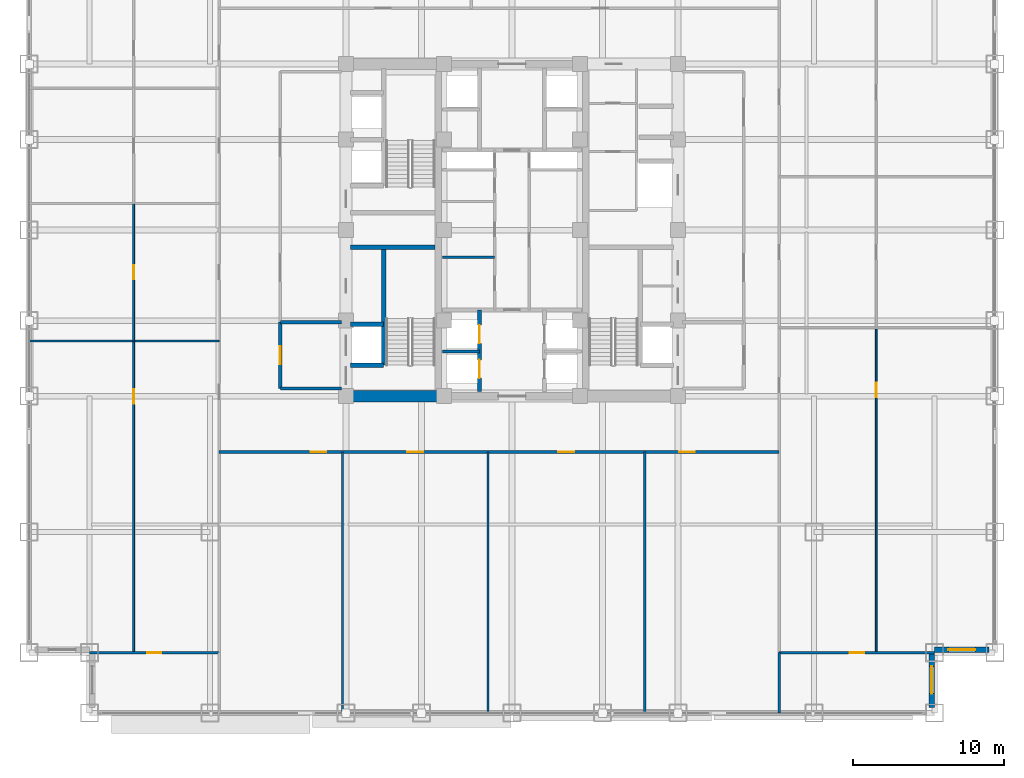
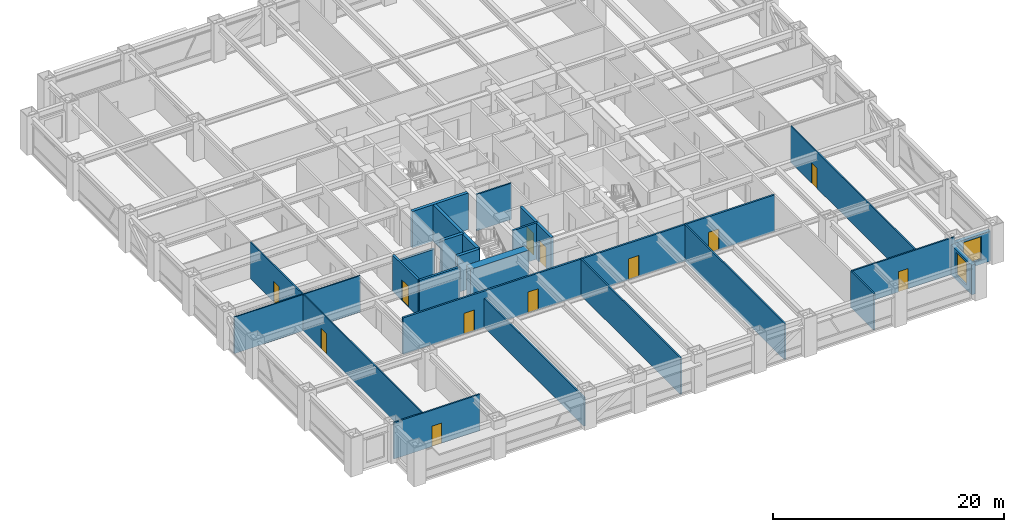
# One storey, part 23 of 32: 24 walls, 12 doors, 2 windows, 14 openings.
"""IFC4 building model written with IfcOpenShell, lengths in metres."""

from ifc_helpers import new_model, si_unit, direction, frame, frame_2d, origin, place, context, subcontext, project, spatial, rectangle, extrude, source, transform, mapped, material, layer, layer_set, type_object, element, fill, save


model = new_model("IFC4")

# Units and contexts
model_context = context("Model", 3, precision=1e-05, world=origin(), true_north=direction((0.0, 1.0)))
body_context = subcontext(model_context, "Body", "Model", "MODEL_VIEW")
ifc_project = project(units=[si_unit("LENGTHUNIT", "METRE"), si_unit("AREAUNIT", "SQUARE_METRE"), si_unit("VOLUMEUNIT", "CUBIC_METRE"), si_unit("PLANEANGLEUNIT", "RADIAN"), si_unit("MASSUNIT", "GRAM", prefix="KILO")], contexts=[model_context])

# Site, building, storey
site_placement = place(None, origin())
site = spatial("IfcSite", under=ifc_project, at=site_placement, CompositionType="ELEMENT")
building_placement = place(site_placement, origin())
building = spatial("IfcBuilding", under=site, at=building_placement, Name="Khorayat Bourse Tower", CompositionType="ELEMENT")
storey_placement = place(building_placement, frame((0.0, 0.0, 132.39990234375)))
storey = spatial("IfcBuildingStorey", under=building, at=storey_placement, Name="L30", CompositionType="ELEMENT", Elevation=132.39990234375)

# Walls
ifc_material_1 = material(Name="Concrete C72/90", Category="concrete")
ifc_layer_1 = layer(ifc_material_1, 0.75)
ifc_layer_set_1 = layer_set([ifc_layer_1], Name="Concrete C72/90")
wall_type_1 = type_object("IfcWallType", Name="WAL-CORE-750", PredefinedType="SHEAR", material=ifc_layer_set_1)
shared_shape_1 = source(origin(), body_context, "Body", "SweptSolid", [
    extrude(rectangle(XDim=5.849853515625, YDim=0.75, at=frame_2d((2.9248046875, 0.0))), origin(), (0.0, 0.0, 1.0), 3.840087890625),
])
wall_1_placement = place(storey_placement, frame((-10.699951171875, -11.0, 0.0), z_axis=(0.0, 0.0, 1.0), x_axis=(1.0, 0.0, 0.0)))
element("IfcWall", 1, at=wall_1_placement, inside=storey, type_object=wall_type_1, Name="L30 Core Shear Wall PIER-WS", PredefinedType="SHEAR", context=body_context, shape_type="MappedRepresentation", body=[
    mapped(shared_shape_1, transform((0.0, 0.0, 0.0), scale=1.0)),
])
ifc_material_2 = material(Name="Concrete C50/60", Category="concrete")
ifc_layer_2 = layer(ifc_material_2, 0.300048828125)
ifc_layer_set_2 = layer_set([ifc_layer_2], Name="Concrete C50/60")
wall_type_2 = type_object("IfcWallType", Name="WAL-SHAFT-300", PredefinedType="SHEAR", material=ifc_layer_set_2)
shared_shape_2 = source(origin(), body_context, "Body", "SweptSolid", [
    extrude(rectangle(XDim=5.599853515625, YDim=0.300048828125, at=frame_2d((2.7998046875, 0.0))), origin(), (0.0, 0.0, 1.0), 3.840087890625),
])
wall_2_placement = place(storey_placement, frame((-10.699951171875, -1.14990234375, 0.0), z_axis=(0.0, 0.0, 1.0), x_axis=(1.0, 0.0, 0.0)))
element("IfcWall", 2, at=wall_2_placement, inside=storey, type_object=wall_type_2, Name="L30 Core Shear Wall ST1-DIV", PredefinedType="SHEAR", context=body_context, shape_type="MappedRepresentation", body=[
    mapped(shared_shape_2, transform((0.0, 0.0, 0.0), scale=1.0)),
])

# Wall, opening, window
ifc_material_3 = material(Name="Precast concrete C45/55", Category="concrete")
ifc_layer_3 = layer(ifc_material_3, 0.3798828125)
ifc_layer_set_3 = layer_set([ifc_layer_3], Name="Precast concrete C45/55")
wall_type_3 = type_object("IfcWallType", Name="WAL-EXT-STONE-380", PredefinedType="STANDARD", material=ifc_layer_set_3)
shared_shape_3 = source(origin(), body_context, "Body", "SweptSolid", [
    extrude(rectangle(XDim=3.6201171875, YDim=0.3798828125, at=frame_2d((1.81005859375, 0.0))), origin(), (0.0, 0.0, 1.0), 3.14501953125),
])
wall_3_placement = place(storey_placement, frame((27.81005859375, -31.6201171875, 0.0), z_axis=(0.0, 0.0, 1.0), x_axis=(0.0, 1.0, 0.0)))
wall_3 = element("IfcWall", 3, at=wall_3_placement, inside=storey, type_object=wall_type_3, Name="L30 Re-Entrant Notch Limestone Wall SE-V", PredefinedType="STANDARD", context=body_context, shape_type="MappedRepresentation", body=[
    mapped(shared_shape_3, transform((0.0, 0.0, 0.0), scale=1.0)),
])
shared_shape_4 = source(origin(), body_context, "Body", "SweptSolid", [
    extrude(rectangle(XDim=1.800048828125, YDim=2.39990234375, at=frame_2d((0.89990234375, 1.199951171875))), frame((0.0, 0.199951171875, 0.0), z_axis=(0.0, -1.0, 0.0), x_axis=(1.0, 0.0, 0.0)), (0.0, 0.0, 1.0), 0.39990234375),
])
opening_1_placement = place(wall_3_placement, frame((0.909912109375, 0.0, 0.5)))
opening_1 = element("IfcOpeningElement", 4, at=opening_1_placement, cuts=wall_3, Name="Opening WN-04", PredefinedType="OPENING", context=body_context, shape_type="MappedRepresentation", body=[
    mapped(shared_shape_4, transform((0.0, 0.0, 0.0), scale=1.0)),
])
ifc_material_4 = material(Name="Low-E acoustic laminated double glazing", Category="glass")
window_type = type_object("IfcWindowType", Name="WIN-NOTCH-1800x2400", PartitioningType="SINGLE_PANEL", PredefinedType="WINDOW", material=ifc_material_4)
shared_shape_5 = source(origin(), body_context, "Body", "SweptSolid", [
    extrude(rectangle(XDim=1.800048828125, YDim=2.39990234375, at=frame_2d((0.89990234375, 1.199951171875))), frame((0.0, 0.030029296875, 0.0), z_axis=(0.0, -1.0, 0.0), x_axis=(1.0, 0.0, 0.0)), (0.0, 0.0, 1.0), 0.06005859375),
])
window_1_placement = place(opening_1_placement, origin())
window_1 = element("IfcWindow", 5, at=window_1_placement, inside=storey, type_object=window_type, Name="L30 Facade Window 1", OverallHeight=2.39990234375, OverallWidth=1.800048828125, PartitioningType="SINGLE_PANEL", PredefinedType="WINDOW", context=body_context, shape_type="MappedRepresentation", body=[
    mapped(shared_shape_5, transform((0.0, 0.0, 0.0), scale=1.0)),
])
fill(opening_1, window_1)

wall_4_placement = place(storey_placement, frame((28.0, -27.81005859375, 0.0), z_axis=(0.0, 0.0, 1.0), x_axis=(1.0, 0.0, 0.0)))
wall_4 = element("IfcWall", 6, at=wall_4_placement, inside=storey, type_object=wall_type_3, Name="L30 Re-Entrant Notch Limestone Wall SE-H", PredefinedType="STANDARD", context=body_context, shape_type="MappedRepresentation", body=[
    mapped(shared_shape_3, transform((0.0, 0.0, 0.0), scale=1.0)),
])
opening_2_placement = place(wall_4_placement, frame((0.909912109375, 0.0, 0.5)))
opening_2 = element("IfcOpeningElement", 7, at=opening_2_placement, cuts=wall_4, Name="Opening WN-04", PredefinedType="OPENING", context=body_context, shape_type="MappedRepresentation", body=[
    mapped(shared_shape_4, transform((0.0, 0.0, 0.0), scale=1.0)),
])
window_2_placement = place(opening_2_placement, origin())
window_2 = element("IfcWindow", 8, at=window_2_placement, inside=storey, type_object=window_type, Name="L30 Facade Window 1", OverallHeight=2.39990234375, OverallWidth=1.800048828125, PartitioningType="SINGLE_PANEL", PredefinedType="WINDOW", context=body_context, shape_type="MappedRepresentation", body=[
    mapped(shared_shape_5, transform((0.0, 0.0, 0.0), scale=1.0)),
])
fill(opening_2, window_2)

# Walls
shared_shape_6 = source(origin(), body_context, "Body", "SweptSolid", [
    extrude(rectangle(XDim=7.800048828125, YDim=0.300048828125, at=frame_2d((3.89990234375, 0.0))), origin(), (0.0, 0.0, 1.0), 3.840087890625),
])
wall_5_placement = place(storey_placement, frame((-8.5, -8.949951171875, 0.0), z_axis=(0.0, 0.0, 1.0), x_axis=(0.0, 1.0, 0.0)))
element("IfcWall", 9, at=wall_5_placement, inside=storey, type_object=wall_type_2, Name="L30 Partition WAL-L30-WPIER-SP", PredefinedType="SHEAR", context=body_context, shape_type="MappedRepresentation", body=[
    mapped(shared_shape_6, transform((0.0, 0.0, 0.0), scale=1.0)),
])
shared_shape_7 = source(origin(), body_context, "Body", "SweptSolid", [
    extrude(rectangle(XDim=2.199951171875, YDim=0.300048828125, at=frame_2d((1.10009765625, 0.0))), origin(), (0.0, 0.0, 1.0), 3.840087890625),
])
for number, where, z_axis, x_axis, name in (
    (10, (-10.699951171875, -8.949951171875, 0.0), (0.0, 0.0, 1.0), (1.0, 0.0, 0.0), "L30 Partition WAL-L30-WPIER-FF1S"),
    (11, (-10.699951171875, -6.25, 0.0), (0.0, 0.0, 1.0), (1.0, 0.0, 0.0), "L30 Partition WAL-L30-WPIER-FF1N"),
):
    element("IfcWall", number, at=place(storey_placement, frame(where, z_axis=z_axis, x_axis=x_axis)), inside=storey, type_object=wall_type_2, Name=name, PredefinedType="SHEAR", context=body_context, shape_type="MappedRepresentation", body=[
        mapped(shared_shape_7, transform((0.0, 0.0, 0.0), scale=1.0)),
    ])
ifc_material_5 = material(Name="Aerated concrete blockwork", Category="masonry")
ifc_layer_4 = layer(ifc_material_5, 0.219970703125)
ifc_layer_set_4 = layer_set([ifc_layer_4], Name="Aerated concrete blockwork")
wall_type_4 = type_object("IfcWallType", Name="WAL-PART-FF-220", PredefinedType="PARTITIONING", material=ifc_layer_set_4)
shared_shape_8 = source(origin(), body_context, "Body", "SweptSolid", [
    extrude(rectangle(XDim=4.050048828125, YDim=0.219970703125, at=frame_2d((2.02490234375, 0.0))), origin(), (0.0, 0.0, 1.0), 3.840087890625),
])
wall_6_placement = place(storey_placement, frame((-15.35009765625, -10.5, 0.0), z_axis=(0.0, 0.0, 1.0), x_axis=(1.0, 0.0, 0.0)))
element("IfcWall", 12, at=wall_6_placement, inside=storey, type_object=wall_type_4, Name="L30 Partition WAL-L30-FFLW-S", PredefinedType="PARTITIONING", context=body_context, shape_type="MappedRepresentation", body=[
    mapped(shared_shape_8, transform((0.0, 0.0, 0.0), scale=1.0)),
])
shared_shape_9 = source(origin(), body_context, "Body", "SweptSolid", [
    extrude(rectangle(XDim=4.050048828125, YDim=0.219970703125, at=frame_2d((2.02490234375, 0.0))), origin(), (0.0, 0.0, 1.0), 3.067138671875),
])
wall_7_placement = place(storey_placement, frame((-15.35009765625, -6.10009765625, 0.0), z_axis=(0.0, 0.0, 1.0), x_axis=(1.0, 0.0, 0.0)))
element("IfcWall", 13, at=wall_7_placement, inside=storey, type_object=wall_type_4, Name="L30 Partition WAL-L30-FFLW-N", PredefinedType="PARTITIONING", context=body_context, shape_type="MappedRepresentation", body=[
    mapped(shared_shape_9, transform((0.0, 0.0, 0.0), scale=1.0)),
])

# Wall, opening, door
shared_shape_10 = source(origin(), body_context, "Body", "SweptSolid", [
    extrude(rectangle(XDim=4.39990234375, YDim=0.219970703125, at=frame_2d((2.199951171875, 0.0))), origin(), (0.0, 0.0, 1.0), 3.840087890625),
])
wall_8_placement = place(storey_placement, frame((-15.35009765625, -10.5, 0.0), z_axis=(0.0, 0.0, 1.0), x_axis=(0.0, 1.0, 0.0)))
wall_8 = element("IfcWall", 14, at=wall_8_placement, inside=storey, type_object=wall_type_4, Name="L30 Partition WAL-L30-FFLW-W", PredefinedType="PARTITIONING", context=body_context, shape_type="MappedRepresentation", body=[
    mapped(shared_shape_10, transform((0.0, 0.0, 0.0), scale=1.0)),
])
shared_shape_11 = source(origin(), body_context, "Body", "SweptSolid", [
    extrude(rectangle(XDim=1.199951171875, YDim=2.199951171875, at=frame_2d((0.60009765625, 1.10009765625))), frame((0.0, 0.119873046875, 0.0), z_axis=(0.0, -1.0, 0.0), x_axis=(1.0, 0.0, 0.0)), (0.0, 0.0, 1.0), 0.239990234375),
])
opening_3_placement = place(wall_8_placement, frame((1.60009765625, 0.0, 0.0)))
opening_3 = element("IfcOpeningElement", 15, at=opening_3_placement, cuts=wall_8, Name="Opening DI-02", PredefinedType="OPENING", context=body_context, shape_type="MappedRepresentation", body=[
    mapped(shared_shape_11, transform((0.0, 0.0, 0.0), scale=1.0)),
])
ifc_material_6 = material(Name="Fire-rated steel double-seal leaf", Category="steel")
door_type_1 = type_object("IfcDoorType", Name="DR-INT-FFLOBBY-1200", OperationType="NOTDEFINED", PredefinedType="DOOR", material=ifc_material_6)
shared_shape_12 = source(origin(), body_context, "Body", "SweptSolid", [
    extrude(rectangle(XDim=1.199951171875, YDim=2.199951171875, at=frame_2d((0.60009765625, 1.10009765625))), frame((0.0, 0.02490234375, 0.0), z_axis=(0.0, -1.0, 0.0), x_axis=(1.0, 0.0, 0.0)), (0.0, 0.0, 1.0), 0.050048828125),
])
door_1_placement = place(opening_3_placement, origin())
door_1 = element("IfcDoor", 16, at=door_1_placement, inside=storey, type_object=door_type_1, Name="L30 West Firefighting Lobby Door", OperationType="SINGLE_SWING_LEFT", OverallHeight=2.199951171875, OverallWidth=1.199951171875, PredefinedType="DOOR", context=body_context, shape_type="MappedRepresentation", body=[
    mapped(shared_shape_12, transform((0.0, 0.0, 0.0), scale=1.0)),
])
fill(opening_3, door_1)

# Wall, openings, doors
shared_shape_13 = source(origin(), body_context, "Body", "SweptSolid", [
    extrude(rectangle(XDim=5.39990234375, YDim=0.25, at=frame_2d((2.699951171875, 0.0))), origin(), (0.0, 0.0, 1.0), 3.840087890625),
])
wall_9_placement = place(storey_placement, frame((-2.14990234375, -10.699951171875, 0.0), z_axis=(0.0, 0.0, 1.0), x_axis=(0.0, 1.0, 0.0)))
wall_9 = element("IfcWall", 17, at=wall_9_placement, inside=storey, type_object=wall_type_2, Name="L30 Partition WAL-L30-B1-W", PredefinedType="SHEAR", context=body_context, shape_type="MappedRepresentation", body=[
    mapped(shared_shape_13, transform((0.0, 0.0, 0.0), scale=1.0)),
])
shared_shape_14 = source(origin(), body_context, "Body", "SweptSolid", [
    extrude(rectangle(XDim=1.199951171875, YDim=2.300048828125, at=frame_2d((0.60009765625, 1.14990234375))), frame((0.0, 0.135009765625, 0.0), z_axis=(0.0, -1.0, 0.0), x_axis=(1.0, 0.0, 0.0)), (0.0, 0.0, 1.0), 0.27001953125),
])
opening_4_placement = place(wall_9_placement, frame((0.89990234375, 0.0, 0.0)))
opening_4 = element("IfcOpeningElement", 18, at=opening_4_placement, cuts=wall_9, Name="Opening LD-01", PredefinedType="OPENING", context=body_context, shape_type="MappedRepresentation", body=[
    mapped(shared_shape_14, transform((0.0, 0.0, 0.0), scale=1.0)),
])
opening_5_placement = place(wall_9_placement, frame((3.199951171875, 0.0, 0.0)))
opening_5 = element("IfcOpeningElement", 19, at=opening_5_placement, cuts=wall_9, Name="Opening LD-01", PredefinedType="OPENING", context=body_context, shape_type="MappedRepresentation", body=[
    mapped(shared_shape_14, transform((0.0, 0.0, 0.0), scale=1.0)),
])
ifc_material_7 = material(Name="Brushed bronze stainless-steel sliding door", Category="steel")
door_type_2 = type_object("IfcDoorType", Name="DR-LIFT-PASS-1200", OperationType="NOTDEFINED", PredefinedType="DOOR", material=ifc_material_7)
shared_shape_15 = source(origin(), body_context, "Body", "SweptSolid", [
    extrude(rectangle(XDim=1.199951171875, YDim=2.300048828125, at=frame_2d((0.60009765625, 1.14990234375))), frame((0.0, 0.02490234375, 0.0), z_axis=(0.0, -1.0, 0.0), x_axis=(1.0, 0.0, 0.0)), (0.0, 0.0, 1.0), 0.050048828125),
])
door_2_placement = place(opening_4_placement, origin())
door_2 = element("IfcDoor", 20, at=door_2_placement, inside=storey, type_object=door_type_2, Name="L30 Lift PL-L1 Sliding Landing Door", OperationType="SLIDING_TO_LEFT", OverallHeight=2.300048828125, OverallWidth=1.199951171875, PredefinedType="DOOR", context=body_context, shape_type="MappedRepresentation", body=[
    mapped(shared_shape_15, transform((0.0, 0.0, 0.0), scale=1.0)),
])
fill(opening_4, door_2)
door_3_placement = place(opening_5_placement, origin())
door_3 = element("IfcDoor", 21, at=door_3_placement, inside=storey, type_object=door_type_2, Name="L30 Lift PL-L3 Sliding Landing Door", OperationType="SLIDING_TO_LEFT", OverallHeight=2.300048828125, OverallWidth=1.199951171875, PredefinedType="DOOR", context=body_context, shape_type="MappedRepresentation", body=[
    mapped(shared_shape_15, transform((0.0, 0.0, 0.0), scale=1.0)),
])
fill(opening_5, door_3)

# Walls
shared_shape_16 = source(origin(), body_context, "Body", "SweptSolid", [
    extrude(rectangle(XDim=2.4501953125, YDim=0.199951171875, at=frame_2d((1.22509765625, 0.0))), origin(), (0.0, 0.0, 1.0), 3.840087890625),
])
wall_10_placement = place(storey_placement, frame((-4.60009765625, -8.050048828125, 0.0), z_axis=(0.0, 0.0, 1.0), x_axis=(1.0, 0.0, 0.0)))
element("IfcWall", 22, at=wall_10_placement, inside=storey, type_object=wall_type_2, Name="L30 Partition WAL-L30-B1-MW", PredefinedType="SHEAR", context=body_context, shape_type="MappedRepresentation", body=[
    mapped(shared_shape_16, transform((0.0, 0.0, 0.0), scale=1.0)),
])
ifc_material_8 = material(Name="Moisture-resistant masonry partition", Category="masonry")
ifc_layer_5 = layer(ifc_material_8, 0.139892578125)
ifc_layer_set_5 = layer_set([ifc_layer_5], Name="Moisture-resistant masonry partition")
wall_type_5 = type_object("IfcWallType", Name="WAL-PART-WET-140", PredefinedType="PARTITIONING", material=ifc_layer_set_5)
shared_shape_17 = source(origin(), body_context, "Body", "SweptSolid", [
    extrude(rectangle(XDim=3.4501953125, YDim=0.139892578125, at=frame_2d((1.72509765625, 0.0))), origin(), (0.0, 0.0, 1.0), 3.840087890625),
])
wall_11_placement = place(storey_placement, frame((-4.60009765625, -1.800048828125, 0.0), z_axis=(0.0, 0.0, 1.0), x_axis=(1.0, 0.0, 0.0)))
element("IfcWall", 23, at=wall_11_placement, inside=storey, type_object=wall_type_5, Name="L30 Partition WAL-L30-CMW-D1", PredefinedType="PARTITIONING", context=body_context, shape_type="MappedRepresentation", body=[
    mapped(shared_shape_17, transform((0.0, 0.0, 0.0), scale=1.0)),
])

# Wall, openings, doors
ifc_material_9 = material(Name="Gypsum plasterboard acoustic stud wall")
ifc_layer_6 = layer(ifc_material_9, 0.179931640625)
ifc_layer_set_6 = layer_set([ifc_layer_6], Name="Gypsum plasterboard acoustic stud wall")
wall_type_6 = type_object("IfcWallType", Name="WAL-PART-CORR-180", PredefinedType="PARTITIONING", material=ifc_layer_set_6)
shared_shape_18 = source(origin(), body_context, "Body", "SweptSolid", [
    extrude(rectangle(XDim=37.099853515625, YDim=0.179931640625, at=frame_2d((18.5498046875, 0.0))), origin(), (0.0, 0.0, 1.0), 3.840087890625),
])
wall_12_placement = place(storey_placement, frame((-19.39990234375, -14.699951171875, 0.0), z_axis=(0.0, 0.0, 1.0), x_axis=(1.0, 0.0, 0.0)))
wall_12 = element("IfcWall", 24, at=wall_12_placement, inside=storey, type_object=wall_type_6, Name="L30 Partition WAL-L30-SCORR", PredefinedType="PARTITIONING", context=body_context, shape_type="MappedRepresentation", body=[
    mapped(shared_shape_18, transform((0.0, 0.0, 0.0), scale=1.0)),
])
shared_shape_19 = source(origin(), body_context, "Body", "SweptSolid", [
    extrude(rectangle(XDim=1.050048828125, YDim=2.199951171875, at=frame_2d((0.52490234375, 1.10009765625))), frame((0.0, 0.099853515625, 0.0), z_axis=(0.0, -1.0, 0.0), x_axis=(1.0, 0.0, 0.0)), (0.0, 0.0, 1.0), 0.199951171875),
])
opening_6_placement = place(wall_12_placement, frame((6.055908203125, 0.0, 0.0)))
opening_6 = element("IfcOpeningElement", 25, at=opening_6_placement, cuts=wall_12, Name="Opening DI-04", PredefinedType="OPENING", context=body_context, shape_type="MappedRepresentation", body=[
    mapped(shared_shape_19, transform((0.0, 0.0, 0.0), scale=1.0)),
])
opening_7_placement = place(wall_12_placement, frame((12.4599609375, 0.0, 0.0)))
opening_7 = element("IfcOpeningElement", 26, at=opening_7_placement, cuts=wall_12, Name="Opening DI-04", PredefinedType="OPENING", context=body_context, shape_type="MappedRepresentation", body=[
    mapped(shared_shape_19, transform((0.0, 0.0, 0.0), scale=1.0)),
])
opening_8_placement = place(wall_12_placement, frame((22.47705078125, 0.0, 0.0)))
opening_8 = element("IfcOpeningElement", 27, at=opening_8_placement, cuts=wall_12, Name="Opening DI-04", PredefinedType="OPENING", context=body_context, shape_type="MappedRepresentation", body=[
    mapped(shared_shape_19, transform((0.0, 0.0, 0.0), scale=1.0)),
])
opening_9_placement = place(wall_12_placement, frame((30.472900390625, 0.0, 0.0)))
opening_9 = element("IfcOpeningElement", 28, at=opening_9_placement, cuts=wall_12, Name="Opening DI-04", PredefinedType="OPENING", context=body_context, shape_type="MappedRepresentation", body=[
    mapped(shared_shape_19, transform((0.0, 0.0, 0.0), scale=1.0)),
])
ifc_material_10 = material(Name="Fire-rated oak veneer suite entrance door")
door_type_3 = type_object("IfcDoorType", Name="DR-INT-SUITE-1050", OperationType="NOTDEFINED", PredefinedType="DOOR", material=ifc_material_10)
shared_shape_20 = source(origin(), body_context, "Body", "SweptSolid", [
    extrude(rectangle(XDim=1.050048828125, YDim=2.199951171875, at=frame_2d((0.52490234375, 1.10009765625))), frame((0.0, 0.02490234375, 0.0), z_axis=(0.0, -1.0, 0.0), x_axis=(1.0, 0.0, 0.0)), (0.0, 0.0, 1.0), 0.050048828125),
])
door_4_placement = place(opening_6_placement, origin())
door_4 = element("IfcDoor", 29, at=door_4_placement, inside=storey, type_object=door_type_3, Name="L30 Floor Reception Concierge S1 Door", OperationType="SINGLE_SWING_RIGHT", OverallHeight=2.199951171875, OverallWidth=1.050048828125, PredefinedType="DOOR", context=body_context, shape_type="MappedRepresentation", body=[
    mapped(shared_shape_20, transform((0.0, 0.0, 0.0), scale=1.0)),
])
fill(opening_6, door_4)
door_5_placement = place(opening_7_placement, origin())
door_5 = element("IfcDoor", 30, at=door_5_placement, inside=storey, type_object=door_type_3, Name="L30 Issuer Listing Showroom S2 Door", OperationType="SINGLE_SWING_LEFT", OverallHeight=2.199951171875, OverallWidth=1.050048828125, PredefinedType="DOOR", context=body_context, shape_type="MappedRepresentation", body=[
    mapped(shared_shape_20, transform((0.0, 0.0, 0.0), scale=1.0)),
])
fill(opening_7, door_5)
door_6_placement = place(opening_8_placement, origin())
door_6 = element("IfcDoor", 31, at=door_6_placement, inside=storey, type_object=door_type_3, Name="L30 Members Exchange Lounge S3 Door", OperationType="SINGLE_SWING_RIGHT", OverallHeight=2.199951171875, OverallWidth=1.050048828125, PredefinedType="DOOR", context=body_context, shape_type="MappedRepresentation", body=[
    mapped(shared_shape_20, transform((0.0, 0.0, 0.0), scale=1.0)),
])
fill(opening_8, door_6)
door_7_placement = place(opening_9_placement, origin())
door_7 = element("IfcDoor", 32, at=door_7_placement, inside=storey, type_object=door_type_3, Name="L30 Members Dining Room S4 Door", OperationType="SINGLE_SWING_LEFT", OverallHeight=2.199951171875, OverallWidth=1.050048828125, PredefinedType="DOOR", context=body_context, shape_type="MappedRepresentation", body=[
    mapped(shared_shape_20, transform((0.0, 0.0, 0.0), scale=1.0)),
])
fill(opening_9, door_7)

# Walls
ifc_material_11 = material(Name="Gypsum plasterboard twin-frame partition")
ifc_layer_7 = layer(ifc_material_11, 0.14990234375)
ifc_layer_set_7 = layer_set([ifc_layer_7], Name="Gypsum plasterboard twin-frame partition")
wall_type_7 = type_object("IfcWallType", Name="WAL-PART-SUITE-150", PredefinedType="PARTITIONING", material=ifc_layer_set_7)
shared_shape_21 = source(origin(), body_context, "Body", "SweptSolid", [
    extrude(rectangle(XDim=4.0, YDim=0.14990234375, at=frame_2d((2.0, 0.0))), origin(), (0.0, 0.0, 1.0), 3.840087890625),
])
wall_13_placement = place(storey_placement, frame((17.699951171875, -32.0, 0.0), z_axis=(0.0, 0.0, 1.0), x_axis=(0.0, 1.0, 0.0)))
element("IfcWall", 33, at=wall_13_placement, inside=storey, type_object=wall_type_7, Name="L30 Partition WAL-L30-SCE-END", PredefinedType="PARTITIONING", context=body_context, shape_type="MappedRepresentation", body=[
    mapped(shared_shape_21, transform((0.0, 0.0, 0.0), scale=1.0)),
])
ifc_material_12 = material(Name="Gypsum plasterboard partition")
ifc_layer_8 = layer(ifc_material_12, 0.125)
ifc_layer_set_8 = layer_set([ifc_layer_8], Name="Gypsum plasterboard partition")
wall_type_8 = type_object("IfcWallType", Name="WAL-PART-ROOM-125", PredefinedType="PARTITIONING", material=ifc_layer_set_8)
shared_shape_22 = source(origin(), body_context, "Body", "SweptSolid", [
    extrude(rectangle(XDim=12.60009765625, YDim=0.125, at=frame_2d((6.300048828125, 0.0))), origin(), (0.0, 0.0, 1.0), 3.840087890625),
])
wall_14_placement = place(storey_placement, frame((-32.0, -7.35009765625, 0.0), z_axis=(0.0, 0.0, 1.0), x_axis=(1.0, 0.0, 0.0)))
element("IfcWall", 34, at=wall_14_placement, inside=storey, type_object=wall_type_8, Name="L30 Partition WAL-L30-WDV-1", PredefinedType="PARTITIONING", context=body_context, shape_type="MappedRepresentation", body=[
    mapped(shared_shape_22, transform((0.0, 0.0, 0.0), scale=1.0)),
])

# Wall, opening, door
shared_shape_23 = source(origin(), body_context, "Body", "SweptSolid", [
    extrude(rectangle(XDim=8.60009765625, YDim=0.14990234375, at=frame_2d((4.300048828125, 0.0))), origin(), (0.0, 0.0, 1.0), 3.840087890625),
])
wall_15_placement = place(storey_placement, frame((-28.0, -28.0, 0.0), z_axis=(0.0, 0.0, 1.0), x_axis=(1.0, 0.0, 0.0)))
wall_15 = element("IfcWall", 35, at=wall_15_placement, inside=storey, type_object=wall_type_7, Name="L30 Partition WAL-L30-CSW", PredefinedType="PARTITIONING", context=body_context, shape_type="MappedRepresentation", body=[
    mapped(shared_shape_23, transform((0.0, 0.0, 0.0), scale=1.0)),
])
shared_shape_24 = source(origin(), body_context, "Body", "SweptSolid", [
    extrude(rectangle(XDim=0.949951171875, YDim=2.14990234375, at=frame_2d((0.47509765625, 1.074951171875))), frame((0.0, 0.0849609375, 0.0), z_axis=(0.0, -1.0, 0.0), x_axis=(1.0, 0.0, 0.0)), (0.0, 0.0, 1.0), 0.169921875),
])
opening_10_placement = place(wall_15_placement, frame((3.824951171875, 0.0, 0.0)))
opening_10 = element("IfcOpeningElement", 36, at=opening_10_placement, cuts=wall_15, Name="Opening DI-05", PredefinedType="OPENING", context=body_context, shape_type="MappedRepresentation", body=[
    mapped(shared_shape_24, transform((0.0, 0.0, 0.0), scale=1.0)),
])
ifc_material_13 = material(Name="Acoustic oak veneer office door")
door_type_4 = type_object("IfcDoorType", Name="DR-INT-OFFICE-950", OperationType="NOTDEFINED", PredefinedType="DOOR", material=ifc_material_13)
shared_shape_25 = source(origin(), body_context, "Body", "SweptSolid", [
    extrude(rectangle(XDim=0.949951171875, YDim=2.14990234375, at=frame_2d((0.47509765625, 1.074951171875))), frame((0.0, 0.02490234375, 0.0), z_axis=(0.0, -1.0, 0.0), x_axis=(1.0, 0.0, 0.0)), (0.0, 0.0, 1.0), 0.050048828125),
])
door_8_placement = place(opening_10_placement, origin())
door_8 = element("IfcDoor", 37, at=door_8_placement, inside=storey, type_object=door_type_4, Name="L30 South-West Corner Office Door", OperationType="SINGLE_SWING_LEFT", OverallHeight=2.14990234375, OverallWidth=0.949951171875, PredefinedType="DOOR", context=body_context, shape_type="MappedRepresentation", body=[
    mapped(shared_shape_25, transform((0.0, 0.0, 0.0), scale=1.0)),
])
fill(opening_10, door_8)

shared_shape_26 = source(origin(), body_context, "Body", "SweptSolid", [
    extrude(rectangle(XDim=10.300048828125, YDim=0.14990234375, at=frame_2d((5.14990234375, 0.0))), origin(), (0.0, 0.0, 1.0), 3.840087890625),
])
wall_16_placement = place(storey_placement, frame((17.699951171875, -28.0, 0.0), z_axis=(0.0, 0.0, 1.0), x_axis=(1.0, 0.0, 0.0)))
wall_16 = element("IfcWall", 38, at=wall_16_placement, inside=storey, type_object=wall_type_7, Name="L30 Partition WAL-L30-CSE", PredefinedType="PARTITIONING", context=body_context, shape_type="MappedRepresentation", body=[
    mapped(shared_shape_26, transform((0.0, 0.0, 0.0), scale=1.0)),
])
opening_11_placement = place(wall_16_placement, frame((4.675048828125, 0.0, 0.0)))
opening_11 = element("IfcOpeningElement", 39, at=opening_11_placement, cuts=wall_16, Name="Opening DI-05", PredefinedType="OPENING", context=body_context, shape_type="MappedRepresentation", body=[
    mapped(shared_shape_24, transform((0.0, 0.0, 0.0), scale=1.0)),
])
door_9_placement = place(opening_11_placement, origin())
door_9 = element("IfcDoor", 40, at=door_9_placement, inside=storey, type_object=door_type_4, Name="L30 South-East Corner Briefing Room Door", OperationType="SINGLE_SWING_LEFT", OverallHeight=2.14990234375, OverallWidth=0.949951171875, PredefinedType="DOOR", context=body_context, shape_type="MappedRepresentation", body=[
    mapped(shared_shape_25, transform((0.0, 0.0, 0.0), scale=1.0)),
])
fill(opening_11, door_9)

# Walls
shared_shape_27 = source(origin(), body_context, "Body", "SweptSolid", [
    extrude(rectangle(XDim=17.300048828125, YDim=0.14990234375, at=frame_2d((8.64990234375, 0.0))), origin(), (0.0, 0.0, 1.0), 3.840087890625),
])
for number, where, z_axis, x_axis, name in (
    (41, (-1.592041015625, -32.0, 0.0), (0.0, 0.0, 1.0), (0.0, 1.0, 0.0), "L30 Partition WAL-L30-SDV-2"),
    (42, (8.7958984375, -32.0, 0.0), (0.0, 0.0, 1.0), (0.0, 1.0, 0.0), "L30 Partition WAL-L30-SDV-3"),
):
    element("IfcWall", number, at=place(storey_placement, frame(where, z_axis=z_axis, x_axis=x_axis)), inside=storey, type_object=wall_type_7, Name=name, PredefinedType="PARTITIONING", context=body_context, shape_type="MappedRepresentation", body=[
        mapped(shared_shape_27, transform((0.0, 0.0, 0.0), scale=1.0)),
    ])
shared_shape_28 = source(origin(), body_context, "Body", "SweptSolid", [
    extrude(rectangle(XDim=17.300048828125, YDim=0.14990234375, at=frame_2d((8.64990234375, 0.0))), origin(), (0.0, 0.0, 1.0), 3.067138671875),
])
wall_17_placement = place(storey_placement, frame((-11.238037109375, -32.0, 0.0), z_axis=(0.0, 0.0, 1.0), x_axis=(0.0, 1.0, 0.0)))
element("IfcWall", 43, at=wall_17_placement, inside=storey, type_object=wall_type_7, Name="L30 Partition WAL-L30-SDV-1", PredefinedType="PARTITIONING", context=body_context, shape_type="MappedRepresentation", body=[
    mapped(shared_shape_28, transform((0.0, 0.0, 0.0), scale=1.0)),
])

# Wall, opening, door
shared_shape_29 = source(origin(), body_context, "Body", "SweptSolid", [
    extrude(rectangle(XDim=20.64990234375, YDim=0.125, at=frame_2d((10.324951171875, 0.0))), origin(), (0.0, 0.0, 1.0), 3.840087890625),
])
wall_18_placement = place(storey_placement, frame((-25.070068359375, -28.0, 0.0), z_axis=(0.0, 0.0, 1.0), x_axis=(0.0, 1.0, 0.0)))
wall_18 = element("IfcWall", 44, at=wall_18_placement, inside=storey, type_object=wall_type_8, Name="L30 Partition WAL-L30-WDP-1", PredefinedType="PARTITIONING", context=body_context, shape_type="MappedRepresentation", body=[
    mapped(shared_shape_29, transform((0.0, 0.0, 0.0), scale=1.0)),
])
shared_shape_30 = source(origin(), body_context, "Body", "SweptSolid", [
    extrude(rectangle(XDim=0.949951171875, YDim=2.14990234375, at=frame_2d((0.47509765625, 1.074951171875))), frame((0.0, 0.072509765625, 0.0), z_axis=(0.0, -1.0, 0.0), x_axis=(1.0, 0.0, 0.0)), (0.0, 0.0, 1.0), 0.14501953125),
])
opening_12_placement = place(wall_18_placement, frame((16.5, 0.0, 0.0)))
opening_12 = element("IfcOpeningElement", 45, at=opening_12_placement, cuts=wall_18, Name="Opening DI-05", PredefinedType="OPENING", context=body_context, shape_type="MappedRepresentation", body=[
    mapped(shared_shape_30, transform((0.0, 0.0, 0.0), scale=1.0)),
])
door_10_placement = place(opening_12_placement, origin())
door_10 = element("IfcDoor", 46, at=door_10_placement, inside=storey, type_object=door_type_4, Name="L30 Market Committee Conference Room W1B Door", OperationType="SINGLE_SWING_RIGHT", OverallHeight=2.14990234375, OverallWidth=0.949951171875, PredefinedType="DOOR", context=body_context, shape_type="MappedRepresentation", body=[
    mapped(shared_shape_25, transform((0.0, 0.0, 0.0), scale=1.0)),
])
fill(opening_12, door_10)

shared_shape_31 = source(origin(), body_context, "Body", "SweptSolid", [
    extrude(rectangle(XDim=9.114013671875, YDim=0.125, at=frame_2d((4.55712890625, 0.0))), origin(), (0.0, 0.0, 1.0), 3.840087890625),
])
wall_19_placement = place(storey_placement, frame((-25.070068359375, -7.35009765625, 0.0), z_axis=(0.0, 0.0, 1.0), x_axis=(0.0, 1.0, 0.0)))
wall_19 = element("IfcWall", 47, at=wall_19_placement, inside=storey, type_object=wall_type_8, Name="L30 Partition WAL-L30-WDP-2", PredefinedType="PARTITIONING", context=body_context, shape_type="MappedRepresentation", body=[
    mapped(shared_shape_31, transform((0.0, 0.0, 0.0), scale=1.0)),
])
opening_13_placement = place(wall_19_placement, frame((4.08203125, 0.0, 0.0)))
opening_13 = element("IfcOpeningElement", 48, at=opening_13_placement, cuts=wall_19, Name="Opening DI-05", PredefinedType="OPENING", context=body_context, shape_type="MappedRepresentation", body=[
    mapped(shared_shape_30, transform((0.0, 0.0, 0.0), scale=1.0)),
])
door_11_placement = place(opening_13_placement, origin())
door_11 = element("IfcDoor", 49, at=door_11_placement, inside=storey, type_object=door_type_4, Name="L30 Staff Tea Pantry W2B Door", OperationType="SINGLE_SWING_LEFT", OverallHeight=2.14990234375, OverallWidth=0.949951171875, PredefinedType="DOOR", context=body_context, shape_type="MappedRepresentation", body=[
    mapped(shared_shape_25, transform((0.0, 0.0, 0.0), scale=1.0)),
])
fill(opening_13, door_11)

shared_shape_32 = source(origin(), body_context, "Body", "SweptSolid", [
    extrude(rectangle(XDim=21.531982421875, YDim=0.125, at=frame_2d((10.76611328125, 0.0))), origin(), (0.0, 0.0, 1.0), 3.840087890625),
])
wall_20_placement = place(storey_placement, frame((24.135009765625, -28.0, 0.0), z_axis=(0.0, 0.0, 1.0), x_axis=(0.0, 1.0, 0.0)))
wall_20 = element("IfcWall", 50, at=wall_20_placement, inside=storey, type_object=wall_type_8, Name="L30 Partition WAL-L30-EDP-1", PredefinedType="PARTITIONING", context=body_context, shape_type="MappedRepresentation", body=[
    mapped(shared_shape_32, transform((0.0, 0.0, 0.0), scale=1.0)),
])
opening_14_placement = place(wall_20_placement, frame((16.94091796875, 0.0, 0.0)))
opening_14 = element("IfcOpeningElement", 51, at=opening_14_placement, cuts=wall_20, Name="Opening DI-05", PredefinedType="OPENING", context=body_context, shape_type="MappedRepresentation", body=[
    mapped(shared_shape_30, transform((0.0, 0.0, 0.0), scale=1.0)),
])
door_12_placement = place(opening_14_placement, origin())
door_12 = element("IfcDoor", 52, at=door_12_placement, inside=storey, type_object=door_type_4, Name="L30 Issuer Listing Showroom E1B Door", OperationType="SINGLE_SWING_RIGHT", OverallHeight=2.14990234375, OverallWidth=0.949951171875, PredefinedType="DOOR", context=body_context, shape_type="MappedRepresentation", body=[
    mapped(shared_shape_25, transform((0.0, 0.0, 0.0), scale=1.0)),
])
fill(opening_14, door_12)

save(model, "model.ifc")
